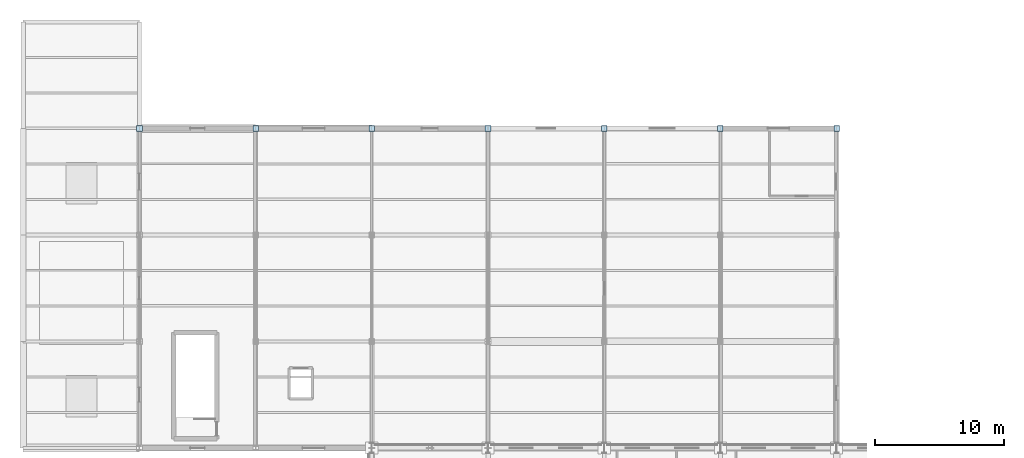
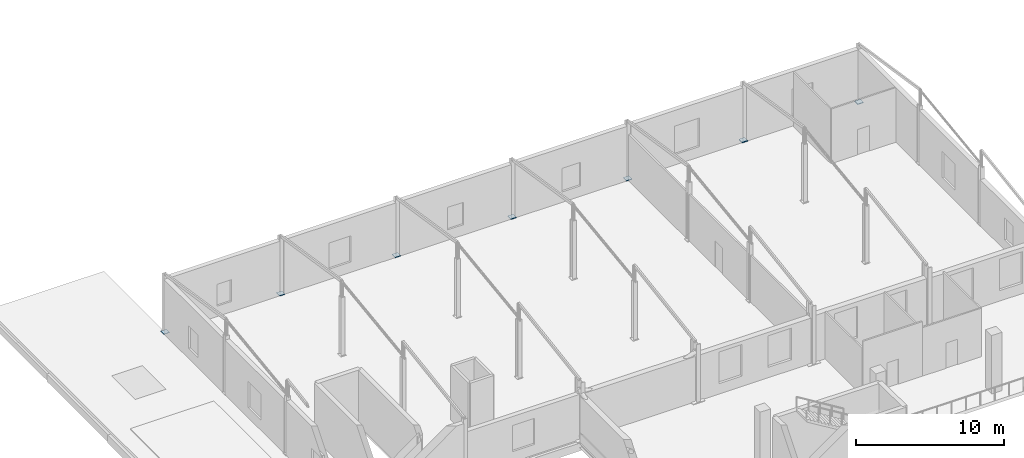
# One storey, part 30 of 54: 7 plates.
"""IFC4 building model written with IfcOpenShell, lengths in metres."""

from ifc_helpers import new_model, si_unit, direction, frame, origin, origin_2d, place, context, subcontext, project, spatial, rectangle, extrude, material, layer, layer_set, type_object, element, save


model = new_model("IFC4")

# Units and contexts
model_context = context("Model", 3, precision=1e-05, world=origin(), true_north=direction((0.0, 1.0)))
body_context = subcontext(model_context, "Body", "Model", "MODEL_VIEW")
ifc_project = project(units=[si_unit("LENGTHUNIT", "METRE"), si_unit("AREAUNIT", "SQUARE_METRE"), si_unit("VOLUMEUNIT", "CUBIC_METRE"), si_unit("PLANEANGLEUNIT", "RADIAN"), si_unit("MASSUNIT", "GRAM", prefix="KILO")], contexts=[model_context])

# Site, building, storey
site_placement = place(None, origin())
site = spatial("IfcSite", under=ifc_project, at=site_placement, CompositionType="ELEMENT")
building_placement = place(site_placement, origin())
building = spatial("IfcBuilding", under=site, at=building_placement, Name="Sundgate Opera House", CompositionType="ELEMENT")
storey_placement = place(building_placement, frame((0.0, 0.0, 16.800048828125)))
storey = spatial("IfcBuildingStorey", under=building, at=storey_placement, Name="L03", CompositionType="ELEMENT", Elevation=16.800048828125)

# Plates
ifc_material_1 = material(Name="Steel S355J2", Category="steel")
ifc_layer_1 = layer(ifc_material_1, 0.033935546875)
ifc_layer_set_1 = layer_set([ifc_layer_1], Name="Steel S355J2")
plate_type_1 = type_object("IfcPlateType", Name="PT-BAS-34", PredefinedType="USERDEFINED", material=ifc_layer_set_1)
plate_1_placement = place(storey_placement, frame((9.0, 111.75, 0.0), z_axis=(0.0, 0.0, 1.0), x_axis=(1.0, 0.0, 0.0)))
element("IfcPlate", 1, at=plate_1_placement, inside=storey, type_object=plate_type_1, Name="L03 Base Plate PT0004", ObjectType="BASE PLATE", PredefinedType="USERDEFINED", context=body_context, shape_type="SweptSolid", body=[
    extrude(rectangle(XDim=0.43994140625, YDim=0.43994140625, at=origin_2d()), origin(), (0.0, 0.0, 1.0), 0.033935546875),
])
ifc_material_2 = material(Name="Steel S355J2", Category="steel")
ifc_layer_2 = layer(ifc_material_2, 0.035888671875)
ifc_layer_set_2 = layer_set([ifc_layer_2], Name="Steel S355J2")
plate_type_2 = type_object("IfcPlateType", Name="PT-BAS-36", PredefinedType="USERDEFINED", material=ifc_layer_set_2)
plate_2_placement = place(storey_placement, frame((18.0, 111.75, 0.0), z_axis=(0.0, 0.0, 1.0), x_axis=(1.0, 0.0, 0.0)))
element("IfcPlate", 2, at=plate_2_placement, inside=storey, type_object=plate_type_2, Name="L03 Base Plate PT0008", ObjectType="BASE PLATE", PredefinedType="USERDEFINED", context=body_context, shape_type="SweptSolid", body=[
    extrude(rectangle(XDim=0.43994140625, YDim=0.43994140625, at=origin_2d()), origin(), (0.0, 0.0, 1.0), 0.035888671875),
])
ifc_material_3 = material(Name="Steel S355J2", Category="steel")
ifc_layer_3 = layer(ifc_material_3, 0.0400390625)
ifc_layer_set_3 = layer_set([ifc_layer_3], Name="Steel S355J2")
plate_type_3 = type_object("IfcPlateType", Name="PT-BAS-40", PredefinedType="USERDEFINED", material=ifc_layer_set_3)
plate_3_placement = place(storey_placement, frame((27.0, 111.75, 0.0), z_axis=(0.0, 0.0, 1.0), x_axis=(1.0, 0.0, 0.0)))
element("IfcPlate", 3, at=plate_3_placement, inside=storey, type_object=plate_type_3, Name="L03 Base Plate PT0043", ObjectType="BASE PLATE", PredefinedType="USERDEFINED", context=body_context, shape_type="SweptSolid", body=[
    extrude(rectangle(XDim=0.43994140625, YDim=0.43994140625, at=origin_2d()), origin(), (0.0, 0.0, 1.0), 0.0400390625),
])
ifc_material_4 = material(Name="Steel S355J2", Category="steel")
ifc_layer_4 = layer(ifc_material_4, 0.044921875)
ifc_layer_set_4 = layer_set([ifc_layer_4], Name="Steel S355J2")
plate_type_4 = type_object("IfcPlateType", Name="PT-BAS-45", PredefinedType="USERDEFINED", material=ifc_layer_set_4)
plate_4_placement = place(storey_placement, frame((36.0, 111.75, 0.0), z_axis=(0.0, 0.0, 1.0), x_axis=(1.0, 0.0, 0.0)))
element("IfcPlate", 4, at=plate_4_placement, inside=storey, type_object=plate_type_4, Name="L03 Base Plate PT0061", ObjectType="BASE PLATE", PredefinedType="USERDEFINED", context=body_context, shape_type="SweptSolid", body=[
    extrude(rectangle(XDim=0.43994140625, YDim=0.43994140625, at=origin_2d()), origin(), (0.0, 0.0, 1.0), 0.044921875),
])
ifc_material_5 = material(Name="Steel S355J2", Category="steel")
ifc_layer_5 = layer(ifc_material_5, 0.050048828125)
ifc_layer_set_5 = layer_set([ifc_layer_5], Name="Steel S355J2")
plate_type_5 = type_object("IfcPlateType", Name="PT-BAS-50", PredefinedType="USERDEFINED", material=ifc_layer_set_5)
plate_5_placement = place(storey_placement, frame((45.0, 111.75, 0.0), z_axis=(0.0, 0.0, 1.0), x_axis=(1.0, 0.0, 0.0)))
element("IfcPlate", 5, at=plate_5_placement, inside=storey, type_object=plate_type_5, Name="L03 Base Plate PT0079", ObjectType="BASE PLATE", PredefinedType="USERDEFINED", context=body_context, shape_type="SweptSolid", body=[
    extrude(rectangle(XDim=0.43994140625, YDim=0.43994140625, at=origin_2d()), origin(), (0.0, 0.0, 1.0), 0.050048828125),
])
ifc_material_6 = material(Name="Steel S355J2", Category="steel")
ifc_layer_6 = layer(ifc_material_6, 0.06201171875)
ifc_layer_set_6 = layer_set([ifc_layer_6], Name="Steel S355J2")
plate_type_6 = type_object("IfcPlateType", Name="PT-BAS-62", PredefinedType="USERDEFINED", material=ifc_layer_set_6)
plate_6_placement = place(storey_placement, frame((63.0, 111.75, 0.0), z_axis=(0.0, 0.0, 1.0), x_axis=(1.0, 0.0, 0.0)))
element("IfcPlate", 6, at=plate_6_placement, inside=storey, type_object=plate_type_6, Name="L03 Base Plate PT0114", ObjectType="BASE PLATE", PredefinedType="USERDEFINED", context=body_context, shape_type="SweptSolid", body=[
    extrude(rectangle(XDim=0.43994140625, YDim=0.43994140625, at=origin_2d()), origin(), (0.0, 0.0, 1.0), 0.06201171875),
])
ifc_material_7 = material(Name="Steel S355J2", Category="steel")
ifc_layer_7 = layer(ifc_material_7, 0.068115234375)
ifc_layer_set_7 = layer_set([ifc_layer_7], Name="Steel S355J2")
plate_type_7 = type_object("IfcPlateType", Name="PT-BAS-68", PredefinedType="USERDEFINED", material=ifc_layer_set_7)
plate_7_placement = place(storey_placement, frame((54.0, 111.75, 0.0), z_axis=(0.0, 0.0, 1.0), x_axis=(1.0, 0.0, 0.0)))
element("IfcPlate", 7, at=plate_7_placement, inside=storey, type_object=plate_type_7, Name="L03 Base Plate PT0095", ObjectType="BASE PLATE", PredefinedType="USERDEFINED", context=body_context, shape_type="SweptSolid", body=[
    extrude(rectangle(XDim=0.43994140625, YDim=0.43994140625, at=origin_2d()), origin(), (0.0, 0.0, 1.0), 0.068115234375),
])

save(model, "model.ifc")
